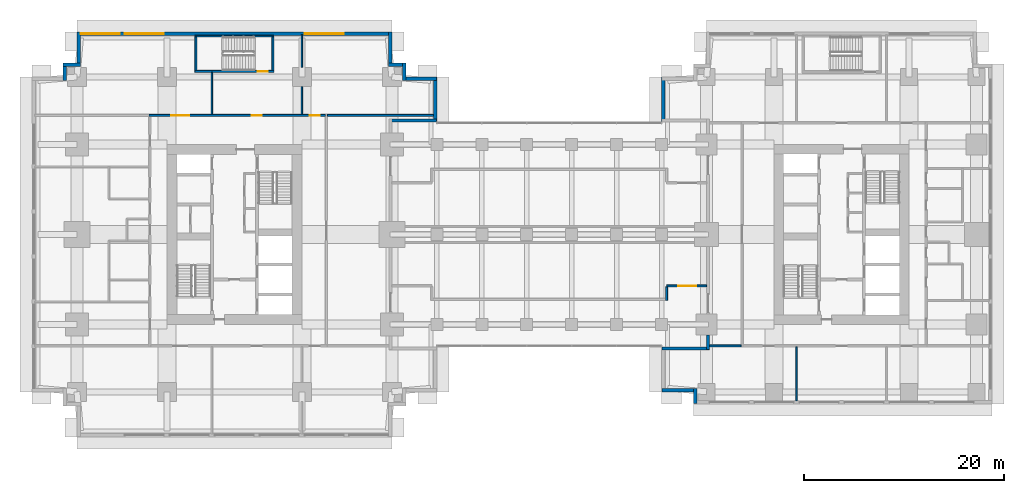
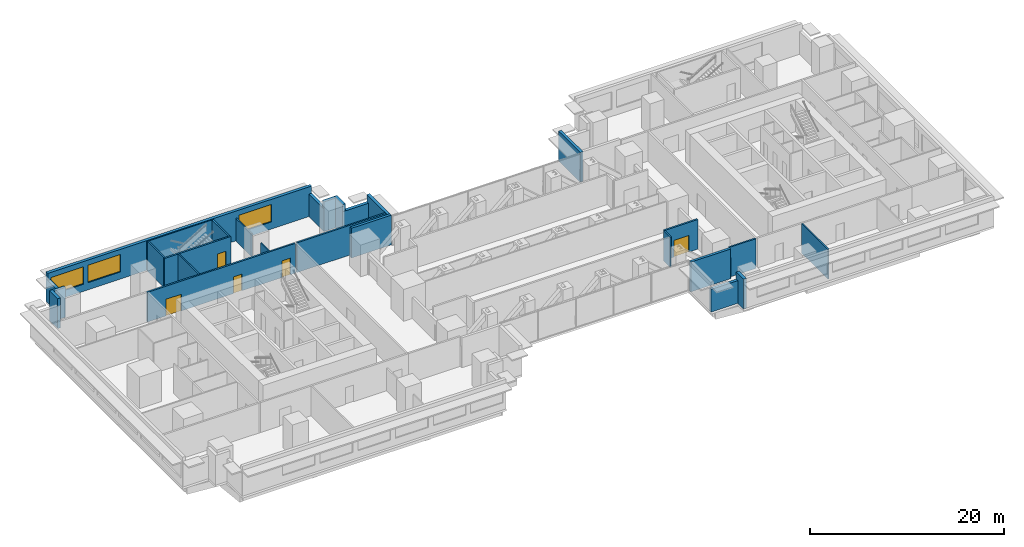
# One storey, part 9 of 16: 28 walls, 5 doors, 3 windows, 8 openings.
"""IFC4 building model written with IfcOpenShell, lengths in metres."""

from ifc_helpers import new_model, si_unit, direction, frame, frame_2d, origin, place, context, subcontext, project, spatial, rectangle, extrude, material, layer, layer_set, type_object, element, fill, save


model = new_model("IFC4")

# Units and contexts
model_context = context("Model", 3, precision=1e-05, world=origin(), true_north=direction((0.0, 1.0)))
body_context = subcontext(model_context, "Body", "Model", "MODEL_VIEW")
ifc_project = project(units=[si_unit("LENGTHUNIT", "METRE"), si_unit("AREAUNIT", "SQUARE_METRE"), si_unit("VOLUMEUNIT", "CUBIC_METRE"), si_unit("PLANEANGLEUNIT", "RADIAN"), si_unit("MASSUNIT", "GRAM", prefix="KILO")], contexts=[model_context])

# Site, building, storey
site_placement = place(None, origin())
site = spatial("IfcSite", under=ifc_project, at=site_placement, CompositionType="ELEMENT")
building_placement = place(site_placement, origin())
building = spatial("IfcBuilding", under=site, at=building_placement, Name="Namib Vertical Campus", CompositionType="ELEMENT")
storey_placement = place(building_placement, frame((0.0, 0.0, 125.0)))
storey = spatial("IfcBuildingStorey", under=building, at=storey_placement, Name="L29", CompositionType="ELEMENT", Elevation=125.0)

# Wall, openings, doors
ifc_material_1 = material(Name="Concrete masonry", Category="masonry")
ifc_layer_1 = layer(ifc_material_1, 0.199951171875)
ifc_layer_set_1 = layer_set([ifc_layer_1], Name="Corridor wall 200")
wall_type_1 = type_object("IfcWallType", Name="Corridor wall 200", PredefinedType="SOLIDWALL", material=ifc_layer_set_1)
wall_1_placement = place(storey_placement, frame((29.35009765625, 32.14990234375, 0.0), z_axis=(0.0, 0.0, 1.0), x_axis=(-1.0, 0.0, 0.0)))
wall_1 = element("IfcWall", 1, at=wall_1_placement, inside=storey, type_object=wall_type_1, Name="Corridor wall A L29 CN", PredefinedType="SOLIDWALL", context=body_context, shape_type="SweptSolid", body=[
    extrude(rectangle(XDim=17.650146484375, YDim=0.199951171875, at=frame_2d((8.8251953125, 0.0))), origin(), (0.0, 0.0, 1.0), 3.75),
])
opening_1_placement = place(wall_1_placement, frame((13.60009765625, 0.0, 0.0)))
opening_1 = element("IfcOpeningElement", 2, at=opening_1_placement, cuts=wall_1, Name="Opening CD2", PredefinedType="OPENING", context=body_context, shape_type="SweptSolid", body=[
    extrude(rectangle(XDim=1.800048828125, YDim=2.10009765625, at=frame_2d((0.89990234375, 1.050048828125))), frame((0.0, 0.10986328125, 0.0), z_axis=(0.0, -1.0, 0.0), x_axis=(1.0, 0.0, 0.0)), (0.0, 0.0, 1.0), 0.219970703125),
])
opening_2_placement = place(wall_1_placement, frame((6.35009765625, 0.0, 0.0)))
opening_2 = element("IfcOpeningElement", 3, at=opening_2_placement, cuts=wall_1, Name="Opening CD1", PredefinedType="OPENING", context=body_context, shape_type="SweptSolid", body=[
    extrude(rectangle(XDim=1.0, YDim=2.10009765625, at=frame_2d((0.5, 1.050048828125))), frame((0.0, 0.10986328125, 0.0), z_axis=(0.0, -1.0, 0.0), x_axis=(1.0, 0.0, 0.0)), (0.0, 0.0, 1.0), 0.219970703125),
])
opening_3_placement = place(wall_1_placement, frame((0.574951171875, 0.0, 0.0)))
opening_3 = element("IfcOpeningElement", 4, at=opening_3_placement, cuts=wall_1, Name="Opening CD1", PredefinedType="OPENING", context=body_context, shape_type="SweptSolid", body=[
    extrude(rectangle(XDim=1.0, YDim=2.10009765625, at=frame_2d((0.5, 1.050048828125))), frame((0.0, 0.10986328125, 0.0), z_axis=(0.0, -1.0, 0.0), x_axis=(1.0, 0.0, 0.0)), (0.0, 0.0, 1.0), 0.219970703125),
])
ifc_material_2 = material(Name="Timber fire door leaf", Category="wood")
door_type_1 = type_object("IfcDoorType", Name="Corridor door 1000x2100 20 min", OperationType="SINGLE_SWING_LEFT", PredefinedType="DOOR", material=ifc_material_2)
door_1_placement = place(opening_2_placement, frame((1.0, 0.0, 0.0), z_axis=(0.0, 0.0, 1.0), x_axis=(-1.0, 0.0, 0.0)))
door_1 = element("IfcDoor", 5, at=door_1_placement, inside=storey, type_object=door_type_1, Name="Door CD1 A29-06", OperationType="SINGLE_SWING_RIGHT", OverallHeight=2.10009765625, OverallWidth=1.0, PredefinedType="DOOR", context=body_context, shape_type="SweptSolid", body=[
    extrude(rectangle(XDim=1.0, YDim=2.10009765625, at=frame_2d((0.5, 1.050048828125))), frame((0.0, 0.02490234375, 0.0), z_axis=(0.0, -1.0, 0.0), x_axis=(1.0, 0.0, 0.0)), (0.0, 0.0, 1.0), 0.050048828125),
])
fill(opening_2, door_1)
door_2_placement = place(opening_3_placement, frame((1.0, 0.0, 0.0), z_axis=(0.0, 0.0, 1.0), x_axis=(-1.0, 0.0, 0.0)))
door_2 = element("IfcDoor", 6, at=door_2_placement, inside=storey, type_object=door_type_1, Name="Door CD1 A29-07", OperationType="SINGLE_SWING_LEFT", OverallHeight=2.10009765625, OverallWidth=1.0, PredefinedType="DOOR", context=body_context, shape_type="SweptSolid", body=[
    extrude(rectangle(XDim=1.0, YDim=2.10009765625, at=frame_2d((0.5, 1.050048828125))), frame((0.0, 0.02490234375, 0.0), z_axis=(0.0, -1.0, 0.0), x_axis=(1.0, 0.0, 0.0)), (0.0, 0.0, 1.0), 0.050048828125),
])
fill(opening_3, door_2)
ifc_material_3 = material(Name="Timber fire door leaf", Category="wood")
door_type_2 = type_object("IfcDoorType", Name="Corridor door double 1800x2100 20 min", OperationType="DOUBLE_DOOR_SINGLE_SWING", PredefinedType="DOOR", material=ifc_material_3)
door_3_placement = place(opening_1_placement, frame((1.800048828125, 0.0, 0.0), z_axis=(0.0, 0.0, 1.0), x_axis=(-1.0, 0.0, 0.0)))
door_3 = element("IfcDoor", 7, at=door_3_placement, inside=storey, type_object=door_type_2, Name="Door CD2 A29-05", OperationType="DOUBLE_DOOR_SINGLE_SWING", OverallHeight=2.10009765625, OverallWidth=1.800048828125, PredefinedType="DOOR", context=body_context, shape_type="SweptSolid", body=[
    extrude(rectangle(XDim=1.800048828125, YDim=2.10009765625, at=frame_2d((0.89990234375, 1.050048828125))), frame((0.0, 0.02490234375, 0.0), z_axis=(0.0, -1.0, 0.0), x_axis=(1.0, 0.0, 0.0)), (0.0, 0.0, 1.0), 0.050048828125),
])
fill(opening_1, door_3)

# Walls
wall_2_placement = place(storey_placement, frame((29.550048828125, 32.14990234375, 0.0), z_axis=(0.0, 0.0, 1.0), x_axis=(1.0, 0.0, 0.0)))
element("IfcWall", 8, at=wall_2_placement, inside=storey, type_object=wall_type_1, Name="Partition A L29 BNE", PredefinedType="SOLIDWALL", context=body_context, shape_type="SweptSolid", body=[
    extrude(rectangle(XDim=10.64990234375, YDim=0.199951171875, at=frame_2d((5.324951171875, 0.0))), origin(), (0.0, 0.0, 1.0), 3.75),
])
wall_3_placement = place(storey_placement, frame((67.800048828125, 9.10009765625, 0.0), z_axis=(0.0, 0.0, 1.0), x_axis=(1.0, 0.0, 0.0)))
element("IfcWall", 9, at=wall_3_placement, inside=storey, type_object=wall_type_1, Name="Partition B L29 BSW", PredefinedType="SOLIDWALL", context=body_context, shape_type="SweptSolid", body=[
    extrude(rectangle(XDim=3.14990234375, YDim=0.199951171875, at=frame_2d((1.574951171875, 0.0))), origin(), (0.0, 0.0, 1.0), 3.75),
])

# Wall, opening, door
wall_4_placement = place(storey_placement, frame((63.5, 15.10009765625, 0.0), z_axis=(0.0, 0.0, 1.0), x_axis=(1.0, 0.0, 0.0)))
wall_4 = element("IfcWall", 10, at=wall_4_placement, inside=storey, type_object=wall_type_1, Name="Lobby wall L29 E", PredefinedType="SOLIDWALL", context=body_context, shape_type="SweptSolid", body=[
    extrude(rectangle(XDim=4.0, YDim=0.199951171875, at=frame_2d((2.0, 0.0))), origin(), (0.0, 0.0, 1.0), 3.75),
])
opening_4_placement = place(wall_4_placement, frame((1.14990234375, 0.0, 0.0)))
opening_4 = element("IfcOpeningElement", 11, at=opening_4_placement, cuts=wall_4, Name="Opening CD2", PredefinedType="OPENING", context=body_context, shape_type="SweptSolid", body=[
    extrude(rectangle(XDim=1.800048828125, YDim=2.10009765625, at=frame_2d((0.89990234375, 1.050048828125))), frame((0.0, 0.10986328125, 0.0), z_axis=(0.0, -1.0, 0.0), x_axis=(1.0, 0.0, 0.0)), (0.0, 0.0, 1.0), 0.219970703125),
])
door_4_placement = place(opening_4_placement, origin())
door_4 = element("IfcDoor", 12, at=door_4_placement, inside=storey, type_object=door_type_2, Name="Door CD2 BR29-03", OperationType="DOUBLE_DOOR_SINGLE_SWING", OverallHeight=2.10009765625, OverallWidth=1.800048828125, PredefinedType="DOOR", context=body_context, shape_type="SweptSolid", body=[
    extrude(rectangle(XDim=1.800048828125, YDim=2.10009765625, at=frame_2d((0.89990234375, 1.050048828125))), frame((0.0, 0.02490234375, 0.0), z_axis=(0.0, -1.0, 0.0), x_axis=(1.0, 0.0, 0.0)), (0.0, 0.0, 1.0), 0.050048828125),
])
fill(opening_4, door_4)

# Walls
wall_5_placement = place(storey_placement, frame((63.5, 13.64990234375, 0.0), z_axis=(0.0, 0.0, 1.0), x_axis=(0.0, 1.0, 0.0)))
element("IfcWall", 13, at=wall_5_placement, inside=storey, type_object=wall_type_1, Name="Lobby side wall L29 E", PredefinedType="SOLIDWALL", context=body_context, shape_type="SweptSolid", body=[
    extrude(rectangle(XDim=1.35009765625, YDim=0.199951171875, at=frame_2d((0.675048828125, 0.0))), origin(), (0.0, 0.0, 1.0), 3.75),
])
ifc_material_4 = material(Name="Concrete C40/50", Category="concrete")
ifc_layer_2 = layer(ifc_material_4, 0.35009765625)
ifc_layer_set_2 = layer_set([ifc_layer_2], Name="Concrete C40/50")
wall_type_2 = type_object("IfcWallType", Name="External wall 350 bush-hammered concrete", PredefinedType="STANDARD", material=ifc_layer_set_2)
wall_6_placement = place(storey_placement, frame((40.324951171875, 31.52001953125, 0.0), z_axis=(0.0, 0.0, 1.0), x_axis=(0.0, 1.0, 0.0)))
element("IfcWall", 14, at=wall_6_placement, inside=storey, type_object=wall_type_2, Name="External wall L29 F11", PredefinedType="STANDARD", context=body_context, shape_type="SweptSolid", body=[
    extrude(rectangle(XDim=4.4599609375, YDim=0.35009765625, at=frame_2d((2.22998046875, 0.0))), origin(), (0.0, 0.0, 1.0), 3.75),
])
wall_7_placement = place(storey_placement, frame((40.47998046875, 35.824951171875, 0.0), z_axis=(0.0, 0.0, 1.0), x_axis=(-1.0, 0.0, 0.0)))
element("IfcWall", 15, at=wall_7_placement, inside=storey, type_object=wall_type_2, Name="External wall L29 F12", PredefinedType="STANDARD", context=body_context, shape_type="SweptSolid", body=[
    extrude(rectangle(XDim=3.409912109375, YDim=0.35009765625, at=frame_2d((1.705078125, 0.0))), origin(), (0.0, 0.0, 1.0), 2.85009765625),
])
for number, where, z_axis, x_axis, name in (
    (16, (37.22509765625, 35.669921875, 0.0), (0.0, 0.0, 1.0), (0.0, 1.0, 0.0), "External wall L29 F13"),
    (17, (37.3798828125, 37.22509765625, 0.0), (0.0, 0.0, 1.0), (-1.0, 0.0, 0.0), "External wall L29 F14"),
):
    element("IfcWall", number, at=place(storey_placement, frame(where, z_axis=z_axis, x_axis=x_axis)), inside=storey, type_object=wall_type_2, Name=name, PredefinedType="STANDARD", context=body_context, shape_type="SweptSolid", body=[
        extrude(rectangle(XDim=1.7099609375, YDim=0.35009765625, at=frame_2d((0.85498046875, 0.0))), origin(), (0.0, 0.0, 1.0), 3.75),
    ])
wall_8_placement = place(storey_placement, frame((35.824951171875, 37.070068359375, 0.0), z_axis=(0.0, 0.0, 1.0), x_axis=(0.0, 1.0, 0.0)))
element("IfcWall", 18, at=wall_8_placement, inside=storey, type_object=wall_type_2, Name="External wall L29 F15", PredefinedType="STANDARD", context=body_context, shape_type="SweptSolid", body=[
    extrude(rectangle(XDim=3.409912109375, YDim=0.35009765625, at=frame_2d((1.705078125, 0.0))), origin(), (0.0, 0.0, 1.0), 2.85009765625),
])

# Wall, openings, windows
wall_9_placement = place(storey_placement, frame((35.97998046875, 40.324951171875, 0.0), z_axis=(0.0, 0.0, 1.0), x_axis=(-1.0, 0.0, 0.0)))
wall_9 = element("IfcWall", 19, at=wall_9_placement, inside=storey, type_object=wall_type_2, Name="External wall L29 F16", PredefinedType="STANDARD", context=body_context, shape_type="SweptSolid", body=[
    extrude(rectangle(XDim=31.4599609375, YDim=0.35009765625, at=frame_2d((15.72998046875, 0.0))), origin(), (0.0, 0.0, 1.0), 3.75),
])
opening_5_placement = place(wall_9_placement, frame((27.2099609375, 0.0, 0.89990234375)))
opening_5 = element("IfcOpeningElement", 20, at=opening_5_placement, cuts=wall_9, Name="Opening W1", PredefinedType="OPENING", context=body_context, shape_type="SweptSolid", body=[
    extrude(rectangle(XDim=3.89990234375, YDim=2.199951171875, at=frame_2d((1.949951171875, 1.10009765625))), frame((0.0, 0.18505859375, 0.0), z_axis=(0.0, -1.0, 0.0), x_axis=(1.0, 0.0, 0.0)), (0.0, 0.0, 1.0), 0.3701171875),
])
opening_6_placement = place(wall_9_placement, frame((22.780029296875, 0.0, 0.89990234375)))
opening_6 = element("IfcOpeningElement", 21, at=opening_6_placement, cuts=wall_9, Name="Opening W1", PredefinedType="OPENING", context=body_context, shape_type="SweptSolid", body=[
    extrude(rectangle(XDim=3.89990234375, YDim=2.199951171875, at=frame_2d((1.949951171875, 1.10009765625))), frame((0.0, 0.18505859375, 0.0), z_axis=(0.0, -1.0, 0.0), x_axis=(1.0, 0.0, 0.0)), (0.0, 0.0, 1.0), 0.3701171875),
])
opening_7_placement = place(wall_9_placement, frame((4.780029296875, 0.0, 0.89990234375)))
opening_7 = element("IfcOpeningElement", 22, at=opening_7_placement, cuts=wall_9, Name="Opening W1", PredefinedType="OPENING", context=body_context, shape_type="SweptSolid", body=[
    extrude(rectangle(XDim=3.89990234375, YDim=2.199951171875, at=frame_2d((1.949951171875, 1.10009765625))), frame((0.0, 0.18505859375, 0.0), z_axis=(0.0, -1.0, 0.0), x_axis=(1.0, 0.0, 0.0)), (0.0, 0.0, 1.0), 0.3701171875),
])
ifc_material_5 = material(Name="Dark tinted glass in black aluminium frame", Category="aluminium")
window_type = type_object("IfcWindowType", Name="Ribbon window 3900x2200", PartitioningType="SINGLE_PANEL", PredefinedType="WINDOW", material=ifc_material_5)
window_1_placement = place(opening_5_placement, origin())
window_1 = element("IfcWindow", 23, at=window_1_placement, inside=storey, type_object=window_type, Name="Window W1 L29 F16-1", OverallHeight=2.199951171875, OverallWidth=3.89990234375, PartitioningType="SINGLE_PANEL", PredefinedType="WINDOW", context=body_context, shape_type="SweptSolid", body=[
    extrude(rectangle(XDim=3.89990234375, YDim=2.199951171875, at=frame_2d((1.949951171875, 1.10009765625))), frame((0.0, 0.030029296875, 0.0), z_axis=(0.0, -1.0, 0.0), x_axis=(1.0, 0.0, 0.0)), (0.0, 0.0, 1.0), 0.06005859375),
])
fill(opening_5, window_1)
window_2_placement = place(opening_6_placement, origin())
window_2 = element("IfcWindow", 24, at=window_2_placement, inside=storey, type_object=window_type, Name="Window W1 L29 F16-2", OverallHeight=2.199951171875, OverallWidth=3.89990234375, PartitioningType="SINGLE_PANEL", PredefinedType="WINDOW", context=body_context, shape_type="SweptSolid", body=[
    extrude(rectangle(XDim=3.89990234375, YDim=2.199951171875, at=frame_2d((1.949951171875, 1.10009765625))), frame((0.0, 0.030029296875, 0.0), z_axis=(0.0, -1.0, 0.0), x_axis=(1.0, 0.0, 0.0)), (0.0, 0.0, 1.0), 0.06005859375),
])
fill(opening_6, window_2)
window_3_placement = place(opening_7_placement, origin())
window_3 = element("IfcWindow", 25, at=window_3_placement, inside=storey, type_object=window_type, Name="Window W1 L29 F16-6", OverallHeight=2.199951171875, OverallWidth=3.89990234375, PartitioningType="SINGLE_PANEL", PredefinedType="WINDOW", context=body_context, shape_type="SweptSolid", body=[
    extrude(rectangle(XDim=3.89990234375, YDim=2.199951171875, at=frame_2d((1.949951171875, 1.10009765625))), frame((0.0, 0.030029296875, 0.0), z_axis=(0.0, -1.0, 0.0), x_axis=(1.0, 0.0, 0.0)), (0.0, 0.0, 1.0), 0.06005859375),
])
fill(opening_7, window_3)

# Walls
wall_10_placement = place(storey_placement, frame((4.675048828125, 40.47998046875, 0.0), z_axis=(0.0, 0.0, 1.0), x_axis=(0.0, -1.0, 0.0)))
element("IfcWall", 26, at=wall_10_placement, inside=storey, type_object=wall_type_2, Name="External wall L29 F17", PredefinedType="STANDARD", context=body_context, shape_type="SweptSolid", body=[
    extrude(rectangle(XDim=3.409912109375, YDim=0.35009765625, at=frame_2d((1.705078125, 0.0))), origin(), (0.0, 0.0, 1.0), 2.85009765625),
])
for number, where, z_axis, x_axis, name in (
    (27, (4.830078125, 37.22509765625, 0.0), (0.0, 0.0, 1.0), (-1.0, 0.0, 0.0), "External wall L29 F18"),
    (28, (3.27490234375, 37.3798828125, 0.0), (0.0, 0.0, 1.0), (0.0, -1.0, 0.0), "External wall L29 F19"),
):
    element("IfcWall", number, at=place(storey_placement, frame(where, z_axis=z_axis, x_axis=x_axis)), inside=storey, type_object=wall_type_2, Name=name, PredefinedType="STANDARD", context=body_context, shape_type="SweptSolid", body=[
        extrude(rectangle(XDim=1.7099609375, YDim=0.35009765625, at=frame_2d((0.85498046875, 0.0))), origin(), (0.0, 0.0, 1.0), 3.75),
    ])
wall_11_placement = place(storey_placement, frame((63.02001953125, 4.675048828125, 0.0), z_axis=(0.0, 0.0, 1.0), x_axis=(1.0, 0.0, 0.0)))
element("IfcWall", 29, at=wall_11_placement, inside=storey, type_object=wall_type_2, Name="External wall L29 F02", PredefinedType="STANDARD", context=body_context, shape_type="SweptSolid", body=[
    extrude(rectangle(XDim=3.510009765625, YDim=0.35009765625, at=frame_2d((1.7548828125, 0.0))), origin(), (0.0, 0.0, 1.0), 2.85009765625),
])
wall_12_placement = place(storey_placement, frame((66.375, 4.830078125, 0.0), z_axis=(0.0, 0.0, 1.0), x_axis=(0.0, -1.0, 0.0)))
element("IfcWall", 30, at=wall_12_placement, inside=storey, type_object=wall_type_2, Name="External wall L29 F03", PredefinedType="STANDARD", context=body_context, shape_type="SweptSolid", body=[
    extrude(rectangle(XDim=1.510009765625, YDim=0.35009765625, at=frame_2d((0.7548828125, 0.0))), origin(), (0.0, 0.0, 1.0), 3.75),
])
wall_13_placement = place(storey_placement, frame((63.175048828125, 35.97998046875, 0.0), z_axis=(0.0, 0.0, 1.0), x_axis=(0.0, -1.0, 0.0)))
element("IfcWall", 31, at=wall_13_placement, inside=storey, type_object=wall_type_2, Name="External wall L29 F13", PredefinedType="STANDARD", context=body_context, shape_type="SweptSolid", body=[
    extrude(rectangle(XDim=4.4599609375, YDim=0.35009765625, at=frame_2d((2.22998046875, 0.0))), origin(), (0.0, 0.0, 1.0), 3.75),
])
ifc_material_6 = material(Name="Concrete masonry", Category="masonry")
ifc_layer_3 = layer(ifc_material_6, 0.300048828125)
ifc_layer_set_3 = layer_set([ifc_layer_3], Name="Fire wall 300")
wall_type_3 = type_object("IfcWallType", Name="Fire wall 300", PredefinedType="SOLIDWALL", material=ifc_layer_set_3)
wall_14_placement = place(storey_placement, frame((35.719970703125, 31.64990234375, 0.0), z_axis=(0.0, 0.0, 1.0), x_axis=(1.0, 0.0, 0.0)))
element("IfcWall", 32, at=wall_14_placement, inside=storey, type_object=wall_type_3, Name="External wall L29 F10", PredefinedType="SOLIDWALL", context=body_context, shape_type="SweptSolid", body=[
    extrude(rectangle(XDim=4.760009765625, YDim=0.300048828125, at=frame_2d((2.3798828125, 0.0))), origin(), (0.0, 0.0, 1.0), 3.75),
])
wall_15_placement = place(storey_placement, frame((67.64990234375, 10.199951171875, 0.0), z_axis=(0.0, 0.0, 1.0), x_axis=(0.0, -1.0, 0.0)))
element("IfcWall", 33, at=wall_15_placement, inside=storey, type_object=wall_type_3, Name="External wall L29 F15", PredefinedType="SOLIDWALL", context=body_context, shape_type="SweptSolid", body=[
    extrude(rectangle(XDim=1.47998046875, YDim=0.300048828125, at=frame_2d((0.739990234375, 0.0))), origin(), (0.0, 0.0, 1.0), 2.64990234375),
])
wall_16_placement = place(storey_placement, frame((67.780029296875, 8.85009765625, 0.0), z_axis=(0.0, 0.0, 1.0), x_axis=(-1.0, 0.0, 0.0)))
element("IfcWall", 34, at=wall_16_placement, inside=storey, type_object=wall_type_3, Name="External wall L29 F16", PredefinedType="SOLIDWALL", context=body_context, shape_type="SweptSolid", body=[
    extrude(rectangle(XDim=4.760009765625, YDim=0.300048828125, at=frame_2d((2.3798828125, 0.0))), origin(), (0.0, 0.0, 1.0), 3.75),
])
ifc_material_7 = material(Name="Gypsum board on steel studs", Category="steel")
ifc_layer_4 = layer(ifc_material_7, 0.14990234375)
ifc_layer_set_4 = layer_set([ifc_layer_4], Name="Gypsum board on steel studs")
wall_type_4 = type_object("IfcWallType", Name="Partition 150", PredefinedType="PARTITIONING", material=ifc_layer_set_4)
wall_17_placement = place(storey_placement, frame((18.0, 32.25, 0.0), z_axis=(0.0, 0.0, 1.0), x_axis=(0.0, 1.0, 0.0)))
element("IfcWall", 35, at=wall_17_placement, inside=storey, type_object=wall_type_4, Name="Partition A L29 PN1", PredefinedType="PARTITIONING", context=body_context, shape_type="SweptSolid", body=[
    extrude(rectangle(XDim=4.199951171875, YDim=0.14990234375, at=frame_2d((2.10009765625, 0.0))), origin(), (0.0, 0.0, 1.0), 3.75),
])
wall_18_placement = place(storey_placement, frame((27.0, 32.25, 0.0), z_axis=(0.0, 0.0, 1.0), x_axis=(0.0, 1.0, 0.0)))
element("IfcWall", 36, at=wall_18_placement, inside=storey, type_object=wall_type_4, Name="Partition A L29 PN2", PredefinedType="PARTITIONING", context=body_context, shape_type="SweptSolid", body=[
    extrude(rectangle(XDim=2.780029296875, YDim=0.14990234375, at=frame_2d((1.39013671875, 0.0))), origin(), (0.0, 0.0, 1.0), 2.85009765625),
])
wall_19_placement = place(storey_placement, frame((27.0, 36.969970703125, 0.0), z_axis=(0.0, 0.0, 1.0), x_axis=(0.0, 1.0, 0.0)))
element("IfcWall", 37, at=wall_19_placement, inside=storey, type_object=wall_type_4, Name="Partition A L29 PN2", PredefinedType="PARTITIONING", context=body_context, shape_type="SweptSolid", body=[
    extrude(rectangle(XDim=3.22998046875, YDim=0.14990234375, at=frame_2d((1.614990234375, 0.0))), origin(), (0.0, 0.0, 1.0), 2.85009765625),
])
wall_20_placement = place(storey_placement, frame((76.5, 3.60009765625, 0.0), z_axis=(0.0, 0.0, 1.0), x_axis=(0.0, 1.0, 0.0)))
element("IfcWall", 38, at=wall_20_placement, inside=storey, type_object=wall_type_4, Name="Partition B L29 PS1", PredefinedType="PARTITIONING", context=body_context, shape_type="SweptSolid", body=[
    extrude(rectangle(XDim=5.39990234375, YDim=0.14990234375, at=frame_2d((2.699951171875, 0.0))), origin(), (0.0, 0.0, 1.0), 3.75),
])
ifc_material_8 = material(Name="Concrete C40/50", Category="concrete")
ifc_layer_5 = layer(ifc_material_8, 0.14990234375)
ifc_layer_set_5 = layer_set([ifc_layer_5], Name="Concrete C40/50")
wall_type_5 = type_object("IfcWallType", Name="Stair enclosure wall RC 150", PredefinedType="SOLIDWALL", material=ifc_layer_set_5)
wall_21_placement = place(storey_placement, frame((16.300048828125, 40.074951171875, 0.0), z_axis=(0.0, 0.0, 1.0), x_axis=(1.0, 0.0, 0.0)))
element("IfcWall", 39, at=wall_21_placement, inside=storey, type_object=wall_type_5, Name="Stair enclosure wall A-S3 L29 N", PredefinedType="SOLIDWALL", context=body_context, shape_type="SweptSolid", body=[
    extrude(rectangle(XDim=7.89990234375, YDim=0.14990234375, at=frame_2d((3.949951171875, 0.0))), origin(), (0.0, 0.0, 1.0), 3.75),
])

# Wall, opening, door
ifc_material_9 = material(Name="Concrete C40/50", Category="concrete")
ifc_layer_6 = layer(ifc_material_9, 0.199951171875)
ifc_layer_set_6 = layer_set([ifc_layer_6], Name="Concrete C40/50")
wall_type_6 = type_object("IfcWallType", Name="Stair enclosure wall RC 200", PredefinedType="SOLIDWALL", material=ifc_layer_set_6)
wall_22_placement = place(storey_placement, frame((16.300048828125, 36.550048828125, 0.0), z_axis=(0.0, 0.0, 1.0), x_axis=(1.0, 0.0, 0.0)))
wall_22 = element("IfcWall", 40, at=wall_22_placement, inside=storey, type_object=wall_type_6, Name="Stair enclosure wall A-S3 L29 S", PredefinedType="SOLIDWALL", context=body_context, shape_type="SweptSolid", body=[
    extrude(rectangle(XDim=7.89990234375, YDim=0.199951171875, at=frame_2d((3.949951171875, 0.0))), origin(), (0.0, 0.0, 1.0), 3.75),
])
opening_8_placement = place(wall_22_placement, frame((6.300048828125, 0.0, 0.0)))
opening_8 = element("IfcOpeningElement", 41, at=opening_8_placement, cuts=wall_22, Name="Opening FD1", PredefinedType="OPENING", context=body_context, shape_type="SweptSolid", body=[
    extrude(rectangle(XDim=1.0, YDim=2.10009765625, at=frame_2d((0.5, 1.050048828125))), frame((0.0, 0.10986328125, 0.0), z_axis=(0.0, -1.0, 0.0), x_axis=(1.0, 0.0, 0.0)), (0.0, 0.0, 1.0), 0.219970703125),
])
ifc_material_10 = material(Name="Steel fire door", Category="steel")
door_type_3 = type_object("IfcDoorType", Name="Fire door 1000x2100", OperationType="SINGLE_SWING_RIGHT", PredefinedType="DOOR", material=ifc_material_10)
door_5_placement = place(opening_8_placement, origin())
door_5 = element("IfcDoor", 42, at=door_5_placement, inside=storey, type_object=door_type_3, Name="Stair door FD1 A L29 S3", OperationType="SINGLE_SWING_RIGHT", OverallHeight=2.10009765625, OverallWidth=1.0, PredefinedType="DOOR", context=body_context, shape_type="SweptSolid", body=[
    extrude(rectangle(XDim=1.0, YDim=2.10009765625, at=frame_2d((0.5, 1.050048828125))), frame((0.0, 0.02490234375, 0.0), z_axis=(0.0, -1.0, 0.0), x_axis=(1.0, 0.0, 0.0)), (0.0, 0.0, 1.0), 0.050048828125),
])
fill(opening_8, door_5)

# Walls
for number, where, z_axis, x_axis, name in (
    (43, (16.39990234375, 36.64990234375, 0.0), (0.0, 0.0, 1.0), (0.0, 1.0, 0.0), "Stair enclosure wall A-S3 L29 W"),
    (44, (24.10009765625, 36.64990234375, 0.0), (0.0, 0.0, 1.0), (0.0, 1.0, 0.0), "Stair enclosure wall A-S3 L29 E"),
):
    element("IfcWall", number, at=place(storey_placement, frame(where, z_axis=z_axis, x_axis=x_axis)), inside=storey, type_object=wall_type_6, Name=name, PredefinedType="SOLIDWALL", context=body_context, shape_type="SweptSolid", body=[
        extrude(rectangle(XDim=3.35009765625, YDim=0.199951171875, at=frame_2d((1.675048828125, 0.0))), origin(), (0.0, 0.0, 1.0), 3.75),
    ])

save(model, "model.ifc")
